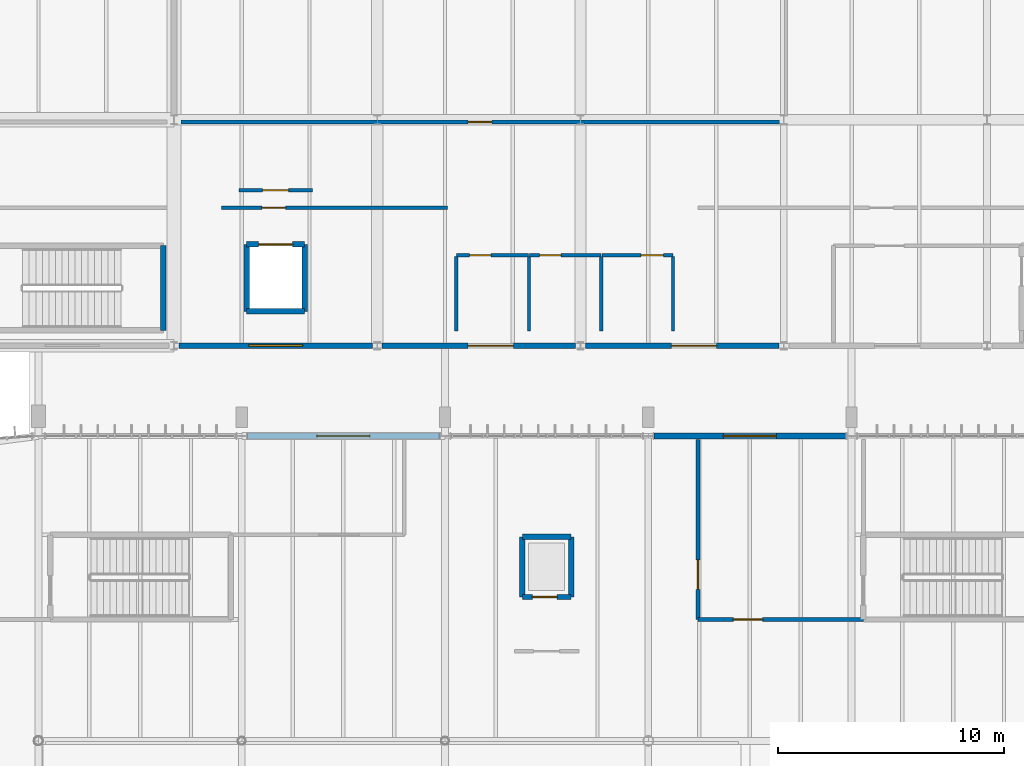
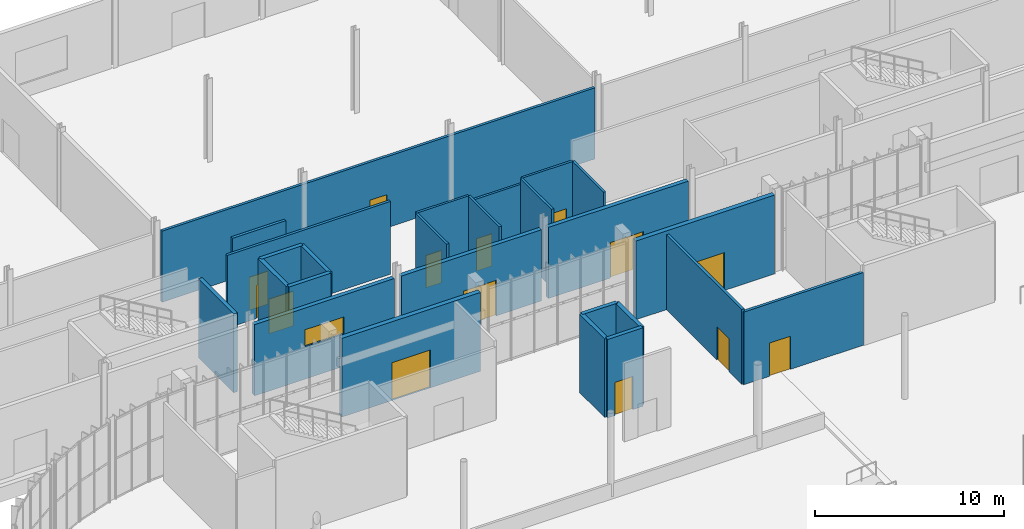
# One storey, part 124 of 158: 26 walls, 14 doors, 1 window, 15 openings.
"""IFC4 building model written with IfcOpenShell, lengths in metres."""

from ifc_helpers import new_model, si_unit, derived_unit, direction, frame, frame_2d, origin, place, context, subcontext, project, spatial, rectangle, extrude, material, layer, layer_set, type_object, element, fill, save


model = new_model("IFC4")

# Units and contexts
model_context = context("Model", 3, precision=1e-05, world=origin(), true_north=direction((0.0, 1.0)))
body_context = subcontext(model_context, "Body", "Model", "MODEL_VIEW")
ifc_project = project(units=[si_unit("LENGTHUNIT", "METRE"), si_unit("AREAUNIT", "SQUARE_METRE"), si_unit("VOLUMEUNIT", "CUBIC_METRE"), si_unit("PLANEANGLEUNIT", "RADIAN"), si_unit("MASSUNIT", "GRAM", prefix="KILO"), si_unit("THERMODYNAMICTEMPERATUREUNIT", "KELVIN"), si_unit("TIMEUNIT", "SECOND"), derived_unit("THERMALTRANSMITTANCEUNIT", [(si_unit("MASSUNIT", "GRAM", prefix="KILO"), 1), (si_unit("THERMODYNAMICTEMPERATUREUNIT", "KELVIN"), -1), (si_unit("TIMEUNIT", "SECOND"), -3)])], contexts=[model_context])

# Site, building, storey
site_placement = place(None, origin())
site = spatial("IfcSite", under=ifc_project, at=site_placement, CompositionType="ELEMENT")
building_placement = place(site_placement, origin())
building = spatial("IfcBuilding", under=site, at=building_placement, Name="Cambertide Market Hall", CompositionType="ELEMENT")
storey_placement = place(building_placement, origin())
storey = spatial("IfcBuildingStorey", under=building, at=storey_placement, Name="L01", CompositionType="ELEMENT", Elevation=0.0)

# Wall, opening, door
ifc_material_1 = material(Name="Autoclaved Aerated Concrete Blockwork M7.5", Category="masonry")
ifc_layer_1 = layer(ifc_material_1, 0.159912109375, Name="Fire-Rated Corridor & Kitchen Partition 160")
ifc_layer_set_1 = layer_set([ifc_layer_1], Name="Autoclaved Aerated Concrete Blockwork M7.5")
wall_type_1 = type_object("IfcWallType", Name="Fire-Rated Corridor & Kitchen Partition 160", PredefinedType="PARTITIONING", material=ifc_layer_set_1)
wall_1_placement = place(storey_placement, frame((48.300048828125, 105.89990234375, 0.0), z_axis=(0.0, 0.0, 1.0), x_axis=(1.0, 0.0, 0.0)))
wall_1 = element("IfcWall", 1, at=wall_1_placement, inside=storey, type_object=wall_type_1, Name="Level 1 Interior Wall IW-L01-V2N-2", PredefinedType="PARTITIONING", context=body_context, shape_type="SweptSolid", body=[
    extrude(rectangle(XDim=26.5, YDim=0.159912109375, at=frame_2d((13.25, 0.0))), origin(), (0.0, 0.0, 1.0), 4.610107421875),
])
opening_1_placement = place(wall_1_placement, frame((12.72509765625, 0.0, 0.0)))
opening_1 = element("IfcOpeningElement", 2, at=opening_1_placement, cuts=wall_1, Name="Opening KD-01", PredefinedType="OPENING", context=body_context, shape_type="SweptSolid", body=[
    extrude(rectangle(XDim=1.050048828125, YDim=2.14990234375, at=frame_2d((0.52490234375, 1.074951171875))), frame((0.0, 0.08984375, 0.0), z_axis=(0.0, -1.0, 0.0), x_axis=(1.0, 0.0, 0.0)), (0.0, 0.0, 1.0), 0.179931640625),
])
ifc_material_2 = material(Name="Stainless Steel Grade 316", Category="metal")
door_type_1 = type_object("IfcDoorType", Name="Kitchen & Lab Fire Door 1050x2150", OperationType="NOTDEFINED", PredefinedType="DOOR", material=ifc_material_2)
door_1_placement = place(opening_1_placement, origin())
door_1 = element("IfcDoor", 3, at=door_1_placement, inside=storey, type_object=door_type_1, Name="Level 1 Door IW-L01-V2N-2-DR1", OperationType="SINGLE_SWING_LEFT", OverallHeight=2.14990234375, OverallWidth=1.050048828125, PredefinedType="DOOR", context=body_context, shape_type="SweptSolid", body=[
    extrude(rectangle(XDim=1.050048828125, YDim=2.14990234375, at=frame_2d((0.52490234375, 1.074951171875))), frame((0.0, 0.02490234375, 0.0), z_axis=(0.0, -1.0, 0.0), x_axis=(1.0, 0.0, 0.0)), (0.0, 0.0, 1.0), 0.050048828125),
])
fill(opening_1, door_1)

wall_2_placement = place(storey_placement, frame((50.10009765625, 102.10009765625, 0.0), z_axis=(0.0, 0.0, 1.0), x_axis=(1.0, 0.0, 0.0)))
wall_2 = element("IfcWall", 4, at=wall_2_placement, inside=storey, type_object=wall_type_1, Name="Level 1 Interior Wall IW-L01-V2MID", PredefinedType="PARTITIONING", context=body_context, shape_type="SweptSolid", body=[
    extrude(rectangle(XDim=10.0, YDim=0.159912109375, at=frame_2d((5.0, 0.0))), origin(), (0.0, 0.0, 1.0), 4.7099609375),
])
opening_2_placement = place(wall_2_placement, frame((1.7900390625, 0.0, 0.0)))
opening_2 = element("IfcOpeningElement", 5, at=opening_2_placement, cuts=wall_2, Name="Opening KD-01", PredefinedType="OPENING", context=body_context, shape_type="SweptSolid", body=[
    extrude(rectangle(XDim=1.050048828125, YDim=2.14990234375, at=frame_2d((0.52490234375, 1.074951171875))), frame((0.0, 0.08984375, 0.0), z_axis=(0.0, -1.0, 0.0), x_axis=(1.0, 0.0, 0.0)), (0.0, 0.0, 1.0), 0.179931640625),
])
door_2_placement = place(opening_2_placement, origin())
door_2 = element("IfcDoor", 6, at=door_2_placement, inside=storey, type_object=door_type_1, Name="Level 1 Door IW-L01-V2MID-DR1", OperationType="SINGLE_SWING_RIGHT", OverallHeight=2.14990234375, OverallWidth=1.050048828125, PredefinedType="DOOR", context=body_context, shape_type="SweptSolid", body=[
    extrude(rectangle(XDim=1.050048828125, YDim=2.14990234375, at=frame_2d((0.52490234375, 1.074951171875))), frame((0.0, 0.02490234375, 0.0), z_axis=(0.0, -1.0, 0.0), x_axis=(1.0, 0.0, 0.0)), (0.0, 0.0, 1.0), 0.050048828125),
])
fill(opening_2, door_2)

# Wall, opening, window
ifc_material_3 = material(Name="Autoclaved Aerated Concrete Blockwork M7.5", Category="masonry")
ifc_layer_2 = layer(ifc_material_3, 0.25, Name="Insulated AAC Exterior Infill Wall 250")
ifc_layer_set_2 = layer_set([ifc_layer_2], Name="Autoclaved Aerated Concrete Blockwork M7.5")
wall_type_2 = type_object("IfcWallType", Name="Insulated AAC Exterior Infill Wall 250", PredefinedType="SOLIDWALL", material=ifc_layer_set_2)
wall_3_placement = place(storey_placement, frame((56.780029296875, 96.0, 0.0), z_axis=(0.0, 0.0, 1.0), x_axis=(-1.0, 0.0, 0.0)))
wall_3 = element("IfcWall", 7, at=wall_3_placement, inside=storey, type_object=wall_type_2, Name="Level 1 Exterior Wall EW-L01-V2S-5", PredefinedType="SOLIDWALL", context=body_context, shape_type="SweptSolid", body=[
    extrude(rectangle(XDim=8.56005859375, YDim=0.25, at=frame_2d((4.280029296875, 0.0))), origin(), (0.0, 0.0, 1.0), 4.610107421875),
])
opening_3_placement = place(wall_3_placement, frame((3.080078125, 0.0, 2.10009765625)))
opening_3 = element("IfcOpeningElement", 8, at=opening_3_placement, cuts=wall_3, Name="Opening WN-01", PredefinedType="OPENING", context=body_context, shape_type="SweptSolid", body=[
    extrude(rectangle(XDim=2.39990234375, YDim=1.10009765625, at=frame_2d((1.199951171875, 0.550048828125))), frame((0.0, 0.135009765625, 0.0), z_axis=(0.0, -1.0, 0.0), x_axis=(1.0, 0.0, 0.0)), (0.0, 0.0, 1.0), 0.27001953125),
])
ifc_material_4 = material(Name="Low-E Laminated Insulated Glass", Category="glass")
window_type = type_object("IfcWindowType", Name="Service Arcade Clerestory Window 2400x1100", PartitioningType="SINGLE_PANEL", PredefinedType="WINDOW", material=ifc_material_4)
window_placement = place(opening_3_placement, origin())
window = element("IfcWindow", 9, at=window_placement, inside=storey, type_object=window_type, Name="Level 1 Window EW-L01-V2S-5-WN", OverallHeight=1.10009765625, OverallWidth=2.39990234375, PartitioningType="SINGLE_PANEL", PredefinedType="WINDOW", context=body_context, shape_type="SweptSolid", body=[
    extrude(rectangle(XDim=2.39990234375, YDim=1.10009765625, at=frame_2d((1.199951171875, 0.550048828125))), frame((0.0, 0.030029296875, 0.0), z_axis=(0.0, -1.0, 0.0), x_axis=(1.0, 0.0, 0.0)), (0.0, 0.0, 1.0), 0.06005859375),
])
fill(opening_3, window)

# Wall, opening, door
wall_4_placement = place(storey_placement, frame((65.780029296875, 96.0, 0.0), z_axis=(0.0, 0.0, 1.0), x_axis=(-1.0, 0.0, 0.0)))
wall_4 = element("IfcWall", 10, at=wall_4_placement, inside=storey, type_object=wall_type_2, Name="Level 1 Exterior Wall EW-L01-V2S-6", PredefinedType="SOLIDWALL", context=body_context, shape_type="SweptSolid", body=[
    extrude(rectangle(XDim=8.56005859375, YDim=0.25, at=frame_2d((4.280029296875, 0.0))), origin(), (0.0, 0.0, 1.0), 4.610107421875),
])
opening_4_placement = place(wall_4_placement, frame((2.755126953125, 0.0, 0.0)))
opening_4 = element("IfcOpeningElement", 11, at=opening_4_placement, cuts=wall_4, Name="Opening ED-01", PredefinedType="OPENING", context=body_context, shape_type="SweptSolid", body=[
    extrude(rectangle(XDim=2.0, YDim=2.300048828125, at=frame_2d((1.0, 1.14990234375))), frame((0.0, 0.135009765625, 0.0), z_axis=(0.0, -1.0, 0.0), x_axis=(1.0, 0.0, 0.0)), (0.0, 0.0, 1.0), 0.27001953125),
])
ifc_material_5 = material(Name="Champagne Marine Anodized Aluminium 6063-T6 AA25", Category="aluminium")
door_type_2 = type_object("IfcDoorType", Name="Final Exit Double Door 2000x2300", OperationType="DOUBLE_DOOR_SINGLE_SWING", PredefinedType="DOOR", material=ifc_material_5)
door_3_placement = place(opening_4_placement, origin())
door_3 = element("IfcDoor", 12, at=door_3_placement, inside=storey, type_object=door_type_2, Name="Level 1 Exterior Door EW-L01-V2S-6-DR", OperationType="DOUBLE_DOOR_SINGLE_SWING", OverallHeight=2.300048828125, OverallWidth=2.0, PredefinedType="DOOR", context=body_context, shape_type="SweptSolid", body=[
    extrude(rectangle(XDim=2.0, YDim=2.300048828125, at=frame_2d((1.0, 1.14990234375))), frame((0.0, 0.02490234375, 0.0), z_axis=(0.0, -1.0, 0.0), x_axis=(1.0, 0.0, 0.0)), (0.0, 0.0, 1.0), 0.050048828125),
])
fill(opening_4, door_3)

wall_5_placement = place(storey_placement, frame((74.780029296875, 96.0, 0.0), z_axis=(0.0, 0.0, 1.0), x_axis=(-1.0, 0.0, 0.0)))
wall_5 = element("IfcWall", 13, at=wall_5_placement, inside=storey, type_object=wall_type_2, Name="Level 1 Exterior Wall EW-L01-V2S-7", PredefinedType="SOLIDWALL", context=body_context, shape_type="SweptSolid", body=[
    extrude(rectangle(XDim=8.56005859375, YDim=0.25, at=frame_2d((4.280029296875, 0.0))), origin(), (0.0, 0.0, 1.0), 4.610107421875),
])
opening_5_placement = place(wall_5_placement, frame((2.755126953125, 0.0, 0.0)))
opening_5 = element("IfcOpeningElement", 14, at=opening_5_placement, cuts=wall_5, Name="Opening ED-01", PredefinedType="OPENING", context=body_context, shape_type="SweptSolid", body=[
    extrude(rectangle(XDim=2.0, YDim=2.300048828125, at=frame_2d((1.0, 1.14990234375))), frame((0.0, 0.135009765625, 0.0), z_axis=(0.0, -1.0, 0.0), x_axis=(1.0, 0.0, 0.0)), (0.0, 0.0, 1.0), 0.27001953125),
])
door_4_placement = place(opening_5_placement, origin())
door_4 = element("IfcDoor", 15, at=door_4_placement, inside=storey, type_object=door_type_2, Name="Level 1 Exterior Door EW-L01-V2S-7-DR", OperationType="DOUBLE_DOOR_SINGLE_SWING", OverallHeight=2.300048828125, OverallWidth=2.0, PredefinedType="DOOR", context=body_context, shape_type="SweptSolid", body=[
    extrude(rectangle(XDim=2.0, YDim=2.300048828125, at=frame_2d((1.0, 1.14990234375))), frame((0.0, 0.02490234375, 0.0), z_axis=(0.0, -1.0, 0.0), x_axis=(1.0, 0.0, 0.0)), (0.0, 0.0, 1.0), 0.050048828125),
])
fill(opening_5, door_4)

ifc_material_6 = material(Name="Autoclaved Aerated Concrete Blockwork M7.5", Category="masonry")
ifc_layer_3 = layer(ifc_material_6, 0.169921875, Name="Lift Lobby Fire Partition 170")
ifc_layer_set_3 = layer_set([ifc_layer_3], Name="Autoclaved Aerated Concrete Blockwork M7.5")
wall_type_3 = type_object("IfcWallType", Name="Lift Lobby Fire Partition 170", PredefinedType="PARTITIONING", material=ifc_layer_set_3)
wall_6_placement = place(storey_placement, frame((50.8701171875, 102.8798828125, 0.0), z_axis=(0.0, 0.0, 1.0), x_axis=(1.0, 0.0, 0.0)))
wall_6 = element("IfcWall", 16, at=wall_6_placement, inside=storey, type_object=wall_type_3, Name="Level 1 Interior Wall LLW-LG-01-L01", PredefinedType="PARTITIONING", context=body_context, shape_type="SweptSolid", body=[
    extrude(rectangle(XDim=3.259765625, YDim=0.169921875, at=frame_2d((1.6298828125, 0.0))), origin(), (0.0, 0.0, 1.0), 5.080078125),
])
opening_6_placement = place(wall_6_placement, frame((1.054931640625, 0.0, 0.0)))
opening_6 = element("IfcOpeningElement", 17, at=opening_6_placement, cuts=wall_6, Name="Opening KD-02", PredefinedType="OPENING", context=body_context, shape_type="SweptSolid", body=[
    extrude(rectangle(XDim=1.14990234375, YDim=2.14990234375, at=frame_2d((0.574951171875, 1.074951171875))), frame((0.0, 0.094970703125, 0.0), z_axis=(0.0, -1.0, 0.0), x_axis=(1.0, 0.0, 0.0)), (0.0, 0.0, 1.0), 0.18994140625),
])
ifc_material_7 = material(Name="Stainless Steel Grade 316", Category="metal")
door_type_3 = type_object("IfcDoorType", Name="Lift Lobby Smoke-Stop Door 1150x2150", OperationType="NOTDEFINED", PredefinedType="DOOR", material=ifc_material_7)
door_5_placement = place(opening_6_placement, origin())
door_5 = element("IfcDoor", 18, at=door_5_placement, inside=storey, type_object=door_type_3, Name="Level 1 Door LLW-LG-01-L01-DR1", OperationType="SINGLE_SWING_RIGHT", OverallHeight=2.14990234375, OverallWidth=1.14990234375, PredefinedType="DOOR", context=body_context, shape_type="SweptSolid", body=[
    extrude(rectangle(XDim=1.14990234375, YDim=2.14990234375, at=frame_2d((0.574951171875, 1.074951171875))), frame((0.0, 0.02490234375, 0.0), z_axis=(0.0, -1.0, 0.0), x_axis=(1.0, 0.0, 0.0)), (0.0, 0.0, 1.0), 0.050048828125),
])
fill(opening_6, door_5)

ifc_material_8 = material(Name="Precast concrete B35", Category="concrete")
ifc_layer_4 = layer(ifc_material_8, 0.280029296875, Name="Load-Bearing Precast Facade Wall 280")
ifc_layer_set_4 = layer_set([ifc_layer_4], Name="Precast concrete B35")
wall_type_4 = type_object("IfcWallType", Name="Load-Bearing Precast Facade Wall 280", PredefinedType="SOLIDWALL", material=ifc_layer_set_4)
wall_7_placement = place(storey_placement, frame((51.25, 92.0, 0.0), z_axis=(0.0, 0.0, 1.0), x_axis=(1.0, 0.0, 0.0)))
wall_7 = element("IfcWall", 19, at=wall_7_placement, inside=storey, type_object=wall_type_4, Name="Level 1 Exterior Wall EW-L01-V1N-2", PredefinedType="SOLIDWALL", context=body_context, shape_type="SweptSolid", body=[
    extrude(rectangle(XDim=8.5, YDim=0.280029296875, at=frame_2d((4.25, 0.0))), origin(), (0.0, 0.0, 1.0), 5.10009765625),
])
opening_7_placement = place(wall_7_placement, frame((3.074951171875, 0.0, 0.0)))
opening_7 = element("IfcOpeningElement", 20, at=opening_7_placement, cuts=wall_7, Name="Opening ED-02", PredefinedType="OPENING", context=body_context, shape_type="SweptSolid", body=[
    extrude(rectangle(XDim=2.35009765625, YDim=2.449951171875, at=frame_2d((1.175048828125, 1.22509765625))), frame((0.0, 0.14990234375, 0.0), z_axis=(0.0, -1.0, 0.0), x_axis=(1.0, 0.0, 0.0)), (0.0, 0.0, 1.0), 0.300048828125),
])
ifc_material_9 = material(Name="Champagne Marine Anodized Aluminium 6063-T6 AA25", Category="aluminium")
door_type_4 = type_object("IfcDoorType", Name="Market Portal Double Exit Door 2350x2450", OperationType="DOUBLE_DOOR_SINGLE_SWING", PredefinedType="DOOR", material=ifc_material_9)
door_6_placement = place(opening_7_placement, origin())
door_6 = element("IfcDoor", 21, at=door_6_placement, inside=storey, type_object=door_type_4, Name="Level 1 Exterior Door EW-L01-V1N-2-DR", OperationType="DOUBLE_DOOR_SINGLE_SWING", OverallHeight=2.449951171875, OverallWidth=2.35009765625, PredefinedType="DOOR", context=body_context, shape_type="SweptSolid", body=[
    extrude(rectangle(XDim=2.35009765625, YDim=2.449951171875, at=frame_2d((1.175048828125, 1.22509765625))), frame((0.0, 0.02490234375, 0.0), z_axis=(0.0, -1.0, 0.0), x_axis=(1.0, 0.0, 0.0)), (0.0, 0.0, 1.0), 0.050048828125),
])
fill(opening_7, door_6)

wall_8_placement = place(storey_placement, frame((69.25, 92.0, 0.0), z_axis=(0.0, 0.0, 1.0), x_axis=(1.0, 0.0, 0.0)))
wall_8 = element("IfcWall", 22, at=wall_8_placement, inside=storey, type_object=wall_type_4, Name="Level 1 Exterior Wall EW-L01-V1N-4", PredefinedType="SOLIDWALL", context=body_context, shape_type="SweptSolid", body=[
    extrude(rectangle(XDim=8.5, YDim=0.280029296875, at=frame_2d((4.25, 0.0))), origin(), (0.0, 0.0, 1.0), 5.10009765625),
])
opening_8_placement = place(wall_8_placement, frame((3.074951171875, 0.0, 0.0)))
opening_8 = element("IfcOpeningElement", 23, at=opening_8_placement, cuts=wall_8, Name="Opening ED-02", PredefinedType="OPENING", context=body_context, shape_type="SweptSolid", body=[
    extrude(rectangle(XDim=2.35009765625, YDim=2.449951171875, at=frame_2d((1.175048828125, 1.22509765625))), frame((0.0, 0.14990234375, 0.0), z_axis=(0.0, -1.0, 0.0), x_axis=(1.0, 0.0, 0.0)), (0.0, 0.0, 1.0), 0.300048828125),
])
door_7_placement = place(opening_8_placement, origin())
door_7 = element("IfcDoor", 24, at=door_7_placement, inside=storey, type_object=door_type_4, Name="Level 1 Exterior Door EW-L01-V1N-4-DR", OperationType="DOUBLE_DOOR_SINGLE_SWING", OverallHeight=2.449951171875, OverallWidth=2.35009765625, PredefinedType="DOOR", context=body_context, shape_type="SweptSolid", body=[
    extrude(rectangle(XDim=2.35009765625, YDim=2.449951171875, at=frame_2d((1.175048828125, 1.22509765625))), frame((0.0, 0.02490234375, 0.0), z_axis=(0.0, -1.0, 0.0), x_axis=(1.0, 0.0, 0.0)), (0.0, 0.0, 1.0), 0.050048828125),
])
fill(opening_8, door_7)

ifc_material_10 = material(Name="Autoclaved Aerated Concrete Blockwork M7.5", Category="masonry")
ifc_layer_5 = layer(ifc_material_10, 0.1650390625, Name="Protected Exit Passageway Fire Wall 165")
ifc_layer_set_5 = layer_set([ifc_layer_5], Name="Autoclaved Aerated Concrete Blockwork M7.5")
wall_type_5 = type_object("IfcWallType", Name="Protected Exit Passageway Fire Wall 165", PredefinedType="PARTITIONING", material=ifc_layer_set_5)
wall_9_placement = place(storey_placement, frame((71.199951171875, 83.875, 0.0), z_axis=(0.0, 0.0, 1.0), x_axis=(0.0, 1.0, 0.0)))
wall_9 = element("IfcWall", 25, at=wall_9_placement, inside=storey, type_object=wall_type_5, Name="Level 1 Interior Wall EXW-ST01B-W", PredefinedType="PARTITIONING", context=body_context, shape_type="SweptSolid", body=[
    extrude(rectangle(XDim=7.97509765625, YDim=0.1650390625, at=frame_2d((3.987548828125, 0.0))), origin(), (0.0, 0.0, 1.0), 4.860107421875),
])
opening_9_placement = place(wall_9_placement, frame((1.3349609375, 0.0, 0.0)))
opening_9 = element("IfcOpeningElement", 26, at=opening_9_placement, cuts=wall_9, Name="Opening FD-01", PredefinedType="OPENING", context=body_context, shape_type="SweptSolid", body=[
    extrude(rectangle(XDim=1.300048828125, YDim=2.14990234375, at=frame_2d((0.64990234375, 1.074951171875))), frame((0.0, 0.092529296875, 0.0), z_axis=(0.0, -1.0, 0.0), x_axis=(1.0, 0.0, 0.0)), (0.0, 0.0, 1.0), 0.18505859375),
])
ifc_material_11 = material(Name="Powder-Coated Galvanized Sheet Metal", Category="metal")
door_type_5 = type_object("IfcDoorType", Name="Stair Core Fire Door 1300x2150", OperationType="NOTDEFINED", PredefinedType="DOOR", material=ifc_material_11)
door_8_placement = place(opening_9_placement, origin())
door_8 = element("IfcDoor", 27, at=door_8_placement, inside=storey, type_object=door_type_5, Name="Level 1 Door EXW-ST01B-W-DR1", OperationType="SINGLE_SWING_RIGHT", OverallHeight=2.14990234375, OverallWidth=1.300048828125, PredefinedType="DOOR", context=body_context, shape_type="SweptSolid", body=[
    extrude(rectangle(XDim=1.300048828125, YDim=2.14990234375, at=frame_2d((0.64990234375, 1.074951171875))), frame((0.0, 0.02490234375, 0.0), z_axis=(0.0, -1.0, 0.0), x_axis=(1.0, 0.0, 0.0)), (0.0, 0.0, 1.0), 0.050048828125),
])
fill(opening_9, door_8)

wall_10_placement = place(storey_placement, frame((71.199951171875, 83.875, 0.0), z_axis=(0.0, 0.0, 1.0), x_axis=(1.0, 0.0, 0.0)))
wall_10 = element("IfcWall", 28, at=wall_10_placement, inside=storey, type_object=wall_type_5, Name="Level 1 Interior Wall EXW-ST01B-S", PredefinedType="PARTITIONING", context=body_context, shape_type="SweptSolid", body=[
    extrude(rectangle(XDim=7.324951171875, YDim=0.1650390625, at=frame_2d((3.66259765625, 0.0))), origin(), (0.0, 0.0, 1.0), 4.7099609375),
])
opening_10_placement = place(wall_10_placement, frame((1.56640625, 0.0, 0.0)))
opening_10 = element("IfcOpeningElement", 29, at=opening_10_placement, cuts=wall_10, Name="Opening FD-01", PredefinedType="OPENING", context=body_context, shape_type="SweptSolid", body=[
    extrude(rectangle(XDim=1.300048828125, YDim=2.14990234375, at=frame_2d((0.64990234375, 1.074951171875))), frame((0.0, 0.092529296875, 0.0), z_axis=(0.0, -1.0, 0.0), x_axis=(1.0, 0.0, 0.0)), (0.0, 0.0, 1.0), 0.18505859375),
])
door_9_placement = place(opening_10_placement, origin())
door_9 = element("IfcDoor", 30, at=door_9_placement, inside=storey, type_object=door_type_5, Name="Level 1 Door EXW-ST01B-S-DR1", OperationType="SINGLE_SWING_LEFT", OverallHeight=2.14990234375, OverallWidth=1.300048828125, PredefinedType="DOOR", context=body_context, shape_type="SweptSolid", body=[
    extrude(rectangle(XDim=1.300048828125, YDim=2.14990234375, at=frame_2d((0.64990234375, 1.074951171875))), frame((0.0, 0.02490234375, 0.0), z_axis=(0.0, -1.0, 0.0), x_axis=(1.0, 0.0, 0.0)), (0.0, 0.0, 1.0), 0.050048828125),
])
fill(opening_10, door_9)

ifc_material_12 = material(Name="Autoclaved Aerated Concrete Blockwork M7.5", Category="masonry")
ifc_layer_6 = layer(ifc_material_12, 0.139892578125, Name="Sanitary & Wet-Area Masonry Partition 140")
ifc_layer_set_6 = layer_set([ifc_layer_6], Name="Autoclaved Aerated Concrete Blockwork M7.5")
wall_type_6 = type_object("IfcWallType", Name="Sanitary & Wet-Area Masonry Partition 140", PredefinedType="PARTITIONING", material=ifc_layer_set_6)
wall_11_placement = place(storey_placement, frame((60.5, 100.0, 0.0), z_axis=(0.0, 0.0, 1.0), x_axis=(1.0, 0.0, 0.0)))
wall_11 = element("IfcWall", 31, at=wall_11_placement, inside=storey, type_object=wall_type_6, Name="Level 1 Interior Wall WCW-L01-L01A-F1", PredefinedType="PARTITIONING", context=body_context, shape_type="SweptSolid", body=[
    extrude(rectangle(XDim=3.199951171875, YDim=0.139892578125, at=frame_2d((1.60009765625, 0.0))), origin(), (0.0, 0.0, 1.0), 5.080078125),
])
opening_11_placement = place(wall_11_placement, frame((0.5849609375, 0.0, 0.0)))
opening_11 = element("IfcOpeningElement", 32, at=opening_11_placement, cuts=wall_11, Name="Opening ID-04", PredefinedType="OPENING", context=body_context, shape_type="SweptSolid", body=[
    extrude(rectangle(XDim=0.949951171875, YDim=2.10009765625, at=frame_2d((0.47509765625, 1.050048828125))), frame((0.0, 0.079833984375, 0.0), z_axis=(0.0, -1.0, 0.0), x_axis=(1.0, 0.0, 0.0)), (0.0, 0.0, 1.0), 0.159912109375),
])
ifc_material_13 = material(Name="Champagne Marine Anodized Aluminium 6063-T6 AA25", Category="aluminium")
door_type_6 = type_object("IfcDoorType", Name="WC & Office Single Door 950x2100", OperationType="NOTDEFINED", PredefinedType="DOOR", material=ifc_material_13)
door_10_placement = place(opening_11_placement, origin())
door_10 = element("IfcDoor", 33, at=door_10_placement, inside=storey, type_object=door_type_6, Name="Level 1 Door WCW-L01-L01A-F1-DR1", OperationType="SINGLE_SWING_RIGHT", OverallHeight=2.10009765625, OverallWidth=0.949951171875, PredefinedType="DOOR", context=body_context, shape_type="SweptSolid", body=[
    extrude(rectangle(XDim=0.949951171875, YDim=2.10009765625, at=frame_2d((0.47509765625, 1.050048828125))), frame((0.0, 0.02490234375, 0.0), z_axis=(0.0, -1.0, 0.0), x_axis=(1.0, 0.0, 0.0)), (0.0, 0.0, 1.0), 0.050048828125),
])
fill(opening_11, door_10)

wall_12_placement = place(storey_placement, frame((63.75, 100.0, 0.0), z_axis=(0.0, 0.0, 1.0), x_axis=(1.0, 0.0, 0.0)))
wall_12 = element("IfcWall", 34, at=wall_12_placement, inside=storey, type_object=wall_type_6, Name="Level 1 Interior Wall WCW-L01-L01A-F2", PredefinedType="PARTITIONING", context=body_context, shape_type="SweptSolid", body=[
    extrude(rectangle(XDim=3.14990234375, YDim=0.139892578125, at=frame_2d((1.574951171875, 0.0))), origin(), (0.0, 0.0, 1.0), 4.7099609375),
])
opening_12_placement = place(wall_12_placement, frame((0.43994140625, 0.0, 0.0)))
opening_12 = element("IfcOpeningElement", 35, at=opening_12_placement, cuts=wall_12, Name="Opening ID-04", PredefinedType="OPENING", context=body_context, shape_type="SweptSolid", body=[
    extrude(rectangle(XDim=0.949951171875, YDim=2.10009765625, at=frame_2d((0.47509765625, 1.050048828125))), frame((0.0, 0.079833984375, 0.0), z_axis=(0.0, -1.0, 0.0), x_axis=(1.0, 0.0, 0.0)), (0.0, 0.0, 1.0), 0.159912109375),
])
door_11_placement = place(opening_12_placement, origin())
door_11 = element("IfcDoor", 36, at=door_11_placement, inside=storey, type_object=door_type_6, Name="Level 1 Door WCW-L01-L01A-F2-DR1", OperationType="SINGLE_SWING_LEFT", OverallHeight=2.10009765625, OverallWidth=0.949951171875, PredefinedType="DOOR", context=body_context, shape_type="SweptSolid", body=[
    extrude(rectangle(XDim=0.949951171875, YDim=2.10009765625, at=frame_2d((0.47509765625, 1.050048828125))), frame((0.0, 0.02490234375, 0.0), z_axis=(0.0, -1.0, 0.0), x_axis=(1.0, 0.0, 0.0)), (0.0, 0.0, 1.0), 0.050048828125),
])
fill(opening_12, door_11)

wall_13_placement = place(storey_placement, frame((66.949951171875, 100.0, 0.0), z_axis=(0.0, 0.0, 1.0), x_axis=(1.0, 0.0, 0.0)))
wall_13 = element("IfcWall", 37, at=wall_13_placement, inside=storey, type_object=wall_type_6, Name="Level 1 Interior Wall WCW-L01-L01A-F3", PredefinedType="PARTITIONING", context=body_context, shape_type="SweptSolid", body=[
    extrude(rectangle(XDim=3.150146484375, YDim=0.139892578125, at=frame_2d((1.5751953125, 0.0))), origin(), (0.0, 0.0, 1.0), 5.080078125),
])
opening_13_placement = place(wall_13_placement, frame((1.736083984375, 0.0, 0.0)))
opening_13 = element("IfcOpeningElement", 38, at=opening_13_placement, cuts=wall_13, Name="Opening ID-05", PredefinedType="OPENING", context=body_context, shape_type="SweptSolid", body=[
    extrude(rectangle(XDim=0.97998046875, YDim=2.14990234375, at=frame_2d((0.489990234375, 1.074951171875))), frame((0.0, 0.079833984375, 0.0), z_axis=(0.0, -1.0, 0.0), x_axis=(1.0, 0.0, 0.0)), (0.0, 0.0, 1.0), 0.159912109375),
])
ifc_material_14 = material(Name="Champagne Marine Anodized Aluminium 6063-T6 AA25", Category="aluminium")
door_type_7 = type_object("IfcDoorType", Name="Accessible WC Outward Door 980x2150", OperationType="NOTDEFINED", PredefinedType="DOOR", material=ifc_material_14)
door_12_placement = place(opening_13_placement, origin())
door_12 = element("IfcDoor", 39, at=door_12_placement, inside=storey, type_object=door_type_7, Name="Level 1 Door WCW-L01-L01A-F3-DR1", OperationType="SINGLE_SWING_RIGHT", OverallHeight=2.14990234375, OverallWidth=0.97998046875, PredefinedType="DOOR", context=body_context, shape_type="SweptSolid", body=[
    extrude(rectangle(XDim=0.97998046875, YDim=2.14990234375, at=frame_2d((0.489990234375, 1.074951171875))), frame((0.0, 0.02490234375, 0.0), z_axis=(0.0, -1.0, 0.0), x_axis=(1.0, 0.0, 0.0)), (0.0, 0.0, 1.0), 0.050048828125),
])
fill(opening_13, door_12)

# Walls
for number, where, z_axis, x_axis, name in (
    (40, (63.719970703125, 96.64990234375, 0.0), (0.0, 0.0, 1.0), (0.0, 1.0, 0.0), "Level 1 Interior Wall WCW-L01-L01A-D1"),
    (41, (66.919921875, 96.64990234375, 0.0), (0.0, 0.0, 1.0), (0.0, 1.0, 0.0), "Level 1 Interior Wall WCW-L01-L01A-D2"),
    (42, (60.5, 96.64990234375, 0.0), (0.0, 0.0, 1.0), (0.0, 1.0, 0.0), "Level 1 Interior Wall WCW-L01-L01A-L"),
    (43, (70.10009765625, 96.64990234375, 0.0), (0.0, 0.0, 1.0), (0.0, 1.0, 0.0), "Level 1 Interior Wall WCW-L01-L01A-R"),
):
    element("IfcWall", number, at=place(storey_placement, frame(where, z_axis=z_axis, x_axis=x_axis)), inside=storey, type_object=wall_type_6, Name=name, PredefinedType="PARTITIONING", context=body_context, shape_type="SweptSolid", body=[
        extrude(rectangle(XDim=3.300048828125, YDim=0.139892578125, at=frame_2d((1.64990234375, 0.0))), origin(), (0.0, 0.0, 1.0), 5.080078125),
    ])
ifc_material_15 = material(Name="Concrete B35", Category="concrete")
ifc_layer_7 = layer(ifc_material_15, 0.239990234375, Name="Stair & Lift Core Shaft Wall 240")
ifc_layer_set_7 = layer_set([ifc_layer_7], Name="Concrete B35")
wall_type_7 = type_object("IfcWallType", Name="Stair & Lift Core Shaft Wall 240", PredefinedType="SOLIDWALL", material=ifc_layer_set_7)
wall_14_placement = place(storey_placement, frame((47.52490234375, 100.425048828125, 0.0), z_axis=(0.0, 0.0, 1.0), x_axis=(0.0, -1.0, 0.0)))
element("IfcWall", 44, at=wall_14_placement, inside=storey, type_object=wall_type_7, Name="Level 1 Interior Wall SHW-ST-03B-L01-FAR", PredefinedType="SOLIDWALL", context=body_context, shape_type="SweptSolid", body=[
    extrude(rectangle(XDim=3.75, YDim=0.239990234375, at=frame_2d((1.875, 0.0))), origin(), (0.0, 0.0, 1.0), 5.110107421875),
])

# Wall, opening, door
wall_15_placement = place(storey_placement, frame((65.580078125, 84.8701171875, 0.0), z_axis=(0.0, 0.0, 1.0), x_axis=(-1.0, 0.0, 0.0)))
wall_15 = element("IfcWall", 45, at=wall_15_placement, inside=storey, type_object=wall_type_7, Name="Level 1 Interior Wall LSH-LP-01-L01-S", PredefinedType="SOLIDWALL", context=body_context, shape_type="SweptSolid", body=[
    extrude(rectangle(XDim=2.16015625, YDim=0.239990234375, at=frame_2d((1.080078125, 0.0))), origin(), (0.0, 0.0, 1.0), 5.080078125),
])
opening_14_placement = place(wall_15_placement, frame((0.61474609375, 0.0, 0.0)))
opening_14 = element("IfcOpeningElement", 46, at=opening_14_placement, cuts=wall_15, Name="Opening LD-01", PredefinedType="OPENING", context=body_context, shape_type="SweptSolid", body=[
    extrude(rectangle(XDim=1.10009765625, YDim=2.14990234375, at=frame_2d((0.550048828125, 1.074951171875))), frame((0.0, 0.1298828125, 0.0), z_axis=(0.0, -1.0, 0.0), x_axis=(1.0, 0.0, 0.0)), (0.0, 0.0, 1.0), 0.260009765625),
])
ifc_material_16 = material(Name="Stainless Steel Grade 316", Category="metal")
door_type_8 = type_object("IfcDoorType", Name="Passenger Lift Sliding Landing Door 1100x2150", OperationType="DOUBLE_DOOR_SLIDING", PredefinedType="DOOR", material=ifc_material_16)
door_13_placement = place(opening_14_placement, origin())
door_13 = element("IfcDoor", 47, at=door_13_placement, inside=storey, type_object=door_type_8, Name="Level 1 Door LSH-LP-01-L01-S-DR1", OperationType="DOUBLE_DOOR_SLIDING", OverallHeight=2.14990234375, OverallWidth=1.10009765625, PredefinedType="DOOR", context=body_context, shape_type="SweptSolid", body=[
    extrude(rectangle(XDim=1.10009765625, YDim=2.14990234375, at=frame_2d((0.550048828125, 1.074951171875))), frame((0.0, 0.02490234375, 0.0), z_axis=(0.0, -1.0, 0.0), x_axis=(1.0, 0.0, 0.0)), (0.0, 0.0, 1.0), 0.050048828125),
])
fill(opening_14, door_13)

# Walls
wall_16_placement = place(storey_placement, frame((63.419921875, 87.530029296875, 0.0), z_axis=(0.0, 0.0, 1.0), x_axis=(1.0, 0.0, 0.0)))
element("IfcWall", 48, at=wall_16_placement, inside=storey, type_object=wall_type_7, Name="Level 1 Interior Wall LSH-LP-01-L01-N", PredefinedType="SOLIDWALL", context=body_context, shape_type="SweptSolid", body=[
    extrude(rectangle(XDim=2.16015625, YDim=0.239990234375, at=frame_2d((1.080078125, 0.0))), origin(), (0.0, 0.0, 1.0), 5.080078125),
])
for number, where, z_axis, x_axis, name in (
    (49, (63.419921875, 84.8701171875, 0.0), (0.0, 0.0, 1.0), (0.0, 1.0, 0.0), "Level 1 Interior Wall LSH-LP-01-L01-W"),
    (50, (65.580078125, 87.530029296875, 0.0), (0.0, 0.0, 1.0), (0.0, -1.0, 0.0), "Level 1 Interior Wall LSH-LP-01-L01-E"),
):
    element("IfcWall", number, at=place(storey_placement, frame(where, z_axis=z_axis, x_axis=x_axis)), inside=storey, type_object=wall_type_7, Name=name, PredefinedType="SOLIDWALL", context=body_context, shape_type="SweptSolid", body=[
        extrude(rectangle(XDim=2.659912109375, YDim=0.239990234375, at=frame_2d((1.330078125, 0.0))), origin(), (0.0, 0.0, 1.0), 5.080078125),
    ])
wall_17_placement = place(storey_placement, frame((53.780029296875, 97.52001953125, 0.0), z_axis=(0.0, 0.0, 1.0), x_axis=(-1.0, 0.0, 0.0)))
element("IfcWall", 51, at=wall_17_placement, inside=storey, type_object=wall_type_7, Name="Level 1 Interior Wall LSH-LG-01-L01-S", PredefinedType="SOLIDWALL", context=body_context, shape_type="SweptSolid", body=[
    extrude(rectangle(XDim=2.56005859375, YDim=0.239990234375, at=frame_2d((1.280029296875, 0.0))), origin(), (0.0, 0.0, 1.0), 5.080078125),
])

# Wall, opening, door
wall_18_placement = place(storey_placement, frame((51.219970703125, 100.47998046875, 0.0), z_axis=(0.0, 0.0, 1.0), x_axis=(1.0, 0.0, 0.0)))
wall_18 = element("IfcWall", 52, at=wall_18_placement, inside=storey, type_object=wall_type_7, Name="Level 1 Interior Wall LSH-LG-01-L01-N", PredefinedType="SOLIDWALL", context=body_context, shape_type="SweptSolid", body=[
    extrude(rectangle(XDim=2.56005859375, YDim=0.239990234375, at=frame_2d((1.280029296875, 0.0))), origin(), (0.0, 0.0, 1.0), 5.080078125),
])
opening_15_placement = place(wall_18_placement, frame((0.530029296875, 0.0, 0.0)))
opening_15 = element("IfcOpeningElement", 53, at=opening_15_placement, cuts=wall_18, Name="Opening LD-02", PredefinedType="OPENING", context=body_context, shape_type="SweptSolid", body=[
    extrude(rectangle(XDim=1.5, YDim=2.25, at=frame_2d((0.75, 1.125))), frame((0.0, 0.1298828125, 0.0), z_axis=(0.0, -1.0, 0.0), x_axis=(1.0, 0.0, 0.0)), (0.0, 0.0, 1.0), 0.260009765625),
])
ifc_material_17 = material(Name="Stainless Steel Grade 316", Category="metal")
door_type_9 = type_object("IfcDoorType", Name="Goods Lift Sliding Landing Door 1500x2250", OperationType="DOUBLE_DOOR_SLIDING", PredefinedType="DOOR", material=ifc_material_17)
door_14_placement = place(opening_15_placement, origin())
door_14 = element("IfcDoor", 54, at=door_14_placement, inside=storey, type_object=door_type_9, Name="Level 1 Door LSH-LG-01-L01-N-DR1", OperationType="DOUBLE_DOOR_SLIDING", OverallHeight=2.25, OverallWidth=1.5, PredefinedType="DOOR", context=body_context, shape_type="SweptSolid", body=[
    extrude(rectangle(XDim=1.5, YDim=2.25, at=frame_2d((0.75, 1.125))), frame((0.0, 0.02490234375, 0.0), z_axis=(0.0, -1.0, 0.0), x_axis=(1.0, 0.0, 0.0)), (0.0, 0.0, 1.0), 0.050048828125),
])
fill(opening_15, door_14)

# Walls
for number, where, z_axis, x_axis, name in (
    (55, (51.219970703125, 97.52001953125, 0.0), (0.0, 0.0, 1.0), (0.0, 1.0, 0.0), "Level 1 Interior Wall LSH-LG-01-L01-W"),
    (56, (53.780029296875, 100.47998046875, 0.0), (0.0, 0.0, 1.0), (0.0, -1.0, 0.0), "Level 1 Interior Wall LSH-LG-01-L01-E"),
):
    element("IfcWall", number, at=place(storey_placement, frame(where, z_axis=z_axis, x_axis=x_axis)), inside=storey, type_object=wall_type_7, Name=name, PredefinedType="SOLIDWALL", context=body_context, shape_type="SweptSolid", body=[
        extrude(rectangle(XDim=2.9599609375, YDim=0.239990234375, at=frame_2d((1.47998046875, 0.0))), origin(), (0.0, 0.0, 1.0), 5.080078125),
    ])

save(model, "model.ifc")
